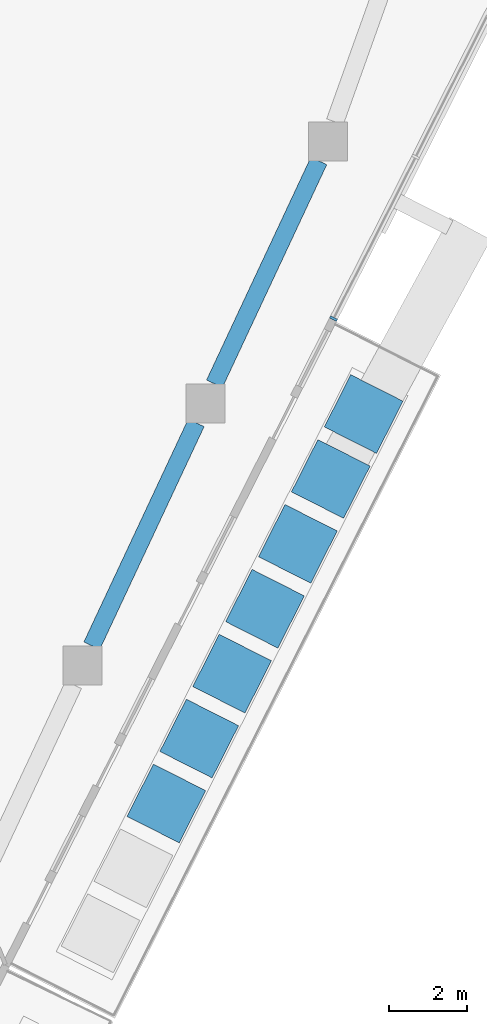
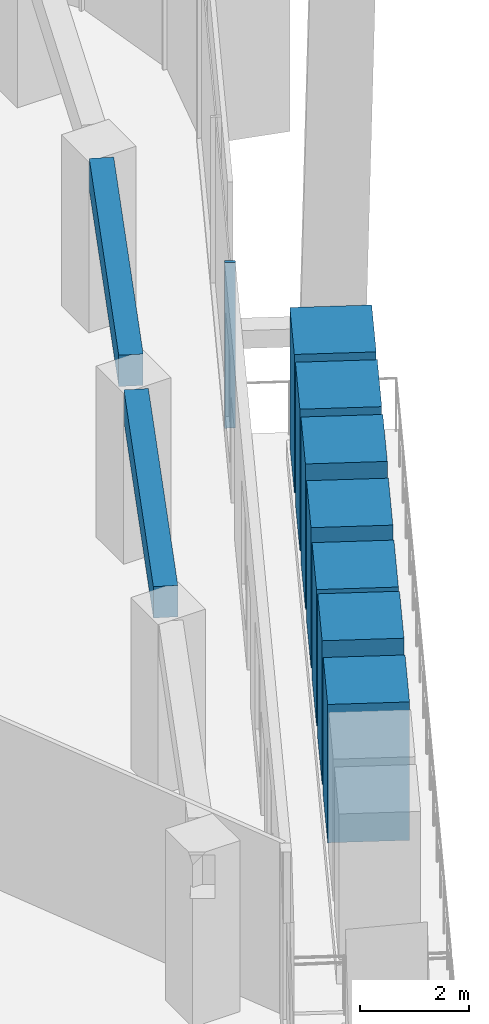
# One storey, part 5 of 23: 8 members, 2 beams, 1 element without a shape of its own.
"""IFC4 building model written with IfcOpenShell, lengths in metres."""

import ifcopenshell
import ifcopenshell.guid

model = None  # the IFC model being written
_history = None  # IfcOwnerHistory: only IFC2X3 demands one
_inside = {}  # id of a spatial element -> (the spatial element, [elements in it])
_under = {}  # id of a project, library or spatial element -> (it, [spatial elements below it])
_declared = {}  # id of a project -> (the project, [libraries it declares])
_typed = {}  # id of a type object -> (the type object, [elements of that type])
_made_of = {}  # id of a material, layer set ... -> (it, [elements and type objects made of it])


def new_model(schema):
    """Start an empty IFC model of exactly this schema.

    Asked for "IFC4X3", IfcOpenShell would pick the latest addendum, in which some entities
    have other attributes; the version numbers below select the first issue.
    IFC2X3 requires an IfcOwnerHistory on every rooted entity: one is made here for all.
    """
    global model, _history
    if schema == "IFC4X3":
        model = ifcopenshell.file(schema_version=(4, 3, 0, 0))
    else:
        model = ifcopenshell.file(schema=schema)
    _inside.clear()
    _under.clear()
    _declared.clear()
    _typed.clear()
    _made_of.clear()
    _history = None
    if model.schema == "IFC2X3":
        org = make("IfcOrganization", Name="unknown")
        user = make(
            "IfcPersonAndOrganization",
            ThePerson=make("IfcPerson", FamilyName="unknown"),
            TheOrganization=org,
        )
        app = make(
            "IfcApplication",
            ApplicationDeveloper=org,
            Version="unknown",
            ApplicationFullName="unknown",
            ApplicationIdentifier="unknown",
        )
        _history = make(
            "IfcOwnerHistory",
            OwningUser=user,
            OwningApplication=app,
            ChangeAction="ADDED",
            CreationDate=0,
        )
    return model


def make(cls, **values):
    """One entity of the class cls with the attributes given. An attribute that is None is left unset."""
    return model.create_entity(
        cls, **{name: value for name, value in values.items() if value is not None}
    )


def rooted(cls, **values):
    """An entity with a GlobalId (a new one), such as an element, a storey or a relation."""
    return make(cls, GlobalId=ifcopenshell.guid.new(), OwnerHistory=_history, **values)


def si_unit(unit_type, name, prefix=None):
    """IfcSIUnit, for example si_unit("LENGTHUNIT", "METRE", prefix="MILLI")."""
    return make("IfcSIUnit", UnitType=unit_type, Prefix=prefix, Name=name)


def assignment(units):
    """IfcUnitAssignment: the units of a project."""
    return None if units is None else make("IfcUnitAssignment", Units=units)


def point(xyz):
    """IfcCartesianPoint."""
    return None if xyz is None else make("IfcCartesianPoint", Coordinates=xyz)


def direction(xyz):
    """IfcDirection."""
    return None if xyz is None else make("IfcDirection", DirectionRatios=xyz)


def frame(location, z_axis=None, x_axis=None):
    """IfcAxis2Placement3D, a coordinate frame: its origin and axes. An axis left out is left unset."""
    return make(
        "IfcAxis2Placement3D",
        Location=point(location),
        Axis=direction(z_axis),
        RefDirection=direction(x_axis),
    )


def frame_2d(location, x_axis=None):
    """IfcAxis2Placement2D, a coordinate frame in the plane: its origin and x axis."""
    return make(
        "IfcAxis2Placement2D", Location=point(location), RefDirection=direction(x_axis)
    )


def origin():
    """The frame at (0, 0, 0) with its axes left unset."""
    return frame((0.0, 0.0, 0.0))


def origin_2d():
    """The frame at (0, 0) in the plane with its x axis left unset."""
    return frame_2d((0.0, 0.0))


def place(relative_to, where):
    """IfcLocalPlacement: puts the frame where relative to a parent placement (None: the world)."""
    return make(
        "IfcLocalPlacement", PlacementRelTo=relative_to, RelativePlacement=where
    )


def context(
    kind, dimensions, precision=None, world=None, true_north=None, identifier=None
):
    """IfcGeometricRepresentationContext, for example the 3D "Model" context."""
    return make(
        "IfcGeometricRepresentationContext",
        ContextIdentifier=identifier,
        ContextType=kind,
        CoordinateSpaceDimension=dimensions,
        Precision=precision,
        WorldCoordinateSystem=world,
        TrueNorth=true_north,
    )


def subcontext(parent, identifier, kind, view, scale=None):
    """IfcGeometricRepresentationSubContext, for example "Body" below "Model"."""
    return make(
        "IfcGeometricRepresentationSubContext",
        ContextIdentifier=identifier,
        ContextType=kind,
        ParentContext=parent,
        TargetScale=scale,
        TargetView=view,
    )


def project(units=None, contexts=None):
    """IfcProject with its units and contexts."""
    return rooted(
        "IfcProject",
        Name="project",
        RepresentationContexts=contexts,
        UnitsInContext=assignment(units),
    )


def spatial(cls, under=None, at=None, **own):
    """A site, building, storey or space (cls), placed at a placement, below another one or the project."""
    s = rooted(cls, ObjectPlacement=at, **own)
    if under is not None:
        _under.setdefault(under.id(), (under, []))[1].append(s)
    return s


def profile(cls, at=None, kind="AREA", **sizes):
    """A parametric profile (cls). Its sizes go by their IFC names, for example OverallWidth=200.0."""
    return make(cls, ProfileType=kind, Position=at, **sizes)


def rectangle(**sizes):
    """IfcRectangleProfileDef."""
    return profile("IfcRectangleProfileDef", **sizes)


def extrude(swept, where, along, depth):
    """IfcExtrudedAreaSolid: the profile swept, set in the frame where, extruded along a direction by depth."""
    return make(
        "IfcExtrudedAreaSolid",
        SweptArea=swept,
        Position=where,
        ExtrudedDirection=direction(along),
        Depth=depth,
    )


def shape(context_of_items, identifier, shape_type, items):
    """IfcShapeRepresentation: the items that make up one representation, for example the "Body"."""
    return make(
        "IfcShapeRepresentation",
        ContextOfItems=context_of_items,
        RepresentationIdentifier=identifier,
        RepresentationType=shape_type,
        Items=items,
    )


def material(Name=None, Category=None):
    """IfcMaterial."""
    return make("IfcMaterial", Name=Name, Category=Category)


def layer(
    of_material, thickness, ventilated=None, Name=None, Category=None, Priority=None
):
    """IfcMaterialLayer: one layer of a wall or slab, of a material (None: an air gap)."""
    return make(
        "IfcMaterialLayer",
        Material=of_material,
        LayerThickness=thickness,
        IsVentilated=ventilated,
        Name=Name,
        Category=Category,
        Priority=Priority,
    )


def layer_set(layers, Name=None):
    """IfcMaterialLayerSet."""
    return make("IfcMaterialLayerSet", MaterialLayers=layers, LayerSetName=Name)


def material_profile(
    of_material, cross_section, Name=None, Category=None, Priority=None
):
    """IfcMaterialProfile: a cross section and its material."""
    return make(
        "IfcMaterialProfile",
        Name=Name,
        Material=of_material,
        Profile=cross_section,
        Priority=Priority,
        Category=Category,
    )


def profile_set(profiles, Name=None, composite=None):
    """IfcMaterialProfileSet."""
    return make(
        "IfcMaterialProfileSet",
        Name=Name,
        MaterialProfiles=profiles,
        CompositeProfile=composite,
    )


def made_of(thing, what):
    """Note that an element or type object is made of a material, layer set ...; save() writes the relation."""
    if what is not None:
        _made_of.setdefault(what.id(), (what, []))[1].append(thing)
    return thing


def type_object(cls, material=None, **own):
    """A type object (cls), such as IfcWallType, which elements share."""
    return made_of(rooted(cls, **own), material)


def element(
    cls,
    number,
    at=None,
    inside=None,
    cuts=None,
    type_object=None,
    material=None,
    context=None,
    identifier="Body",
    shape_type=None,
    held_by="IfcProductDefinitionShape",
    body=None,
    shapes=None,
    **own,
):
    """One element of the class cls, such as IfcWall. Its Tag is "e" and its number.

    at: its placement. inside: the storey or other place that contains it. cuts: it is an
    opening in that element (IfcRelVoidsElement). A single representation is given by context,
    identifier, shape_type and body (its items); several are given by shapes. held_by: the class
    of the entity that holds the representations. save() writes the other relations.
    """
    e = rooted(cls, Tag="e%d" % number, ObjectPlacement=at, **own)
    if body is not None:
        shapes = [shape(context, identifier, shape_type, body)]
    if shapes is not None:
        e.Representation = make(held_by, Representations=shapes)
    if inside is not None:
        _inside.setdefault(inside.id(), (inside, []))[1].append(e)
    if cuts is not None:
        rooted(
            "IfcRelVoidsElement", RelatingBuildingElement=cuts, RelatedOpeningElement=e
        )
    if type_object is not None:
        _typed.setdefault(type_object.id(), (type_object, []))[1].append(e)
    return made_of(e, material)


def aggregate(whole, parts):
    """IfcRelAggregates: a whole, such as a stair, and the parts it consists of."""
    return rooted("IfcRelAggregates", RelatingObject=whole, RelatedObjects=parts)


def save(model, path):
    """Write the relations noted so far, then the file.

    IfcRelAggregates (storeys below a building ...), IfcRelContainedInSpatialStructure (elements
    in a storey), IfcRelDefinesByType, IfcRelAssociatesMaterial and IfcRelDeclares: one each for
    every whole, place, type object, material and project.
    """
    for whole, parts in _under.values():
        aggregate(whole, parts)
    for where, things in _inside.values():
        rooted(
            "IfcRelContainedInSpatialStructure",
            RelatedElements=things,
            RelatingStructure=where,
        )
    for kind, things in _typed.values():
        rooted("IfcRelDefinesByType", RelatedObjects=things, RelatingType=kind)
    for what, things in _made_of.values():
        rooted("IfcRelAssociatesMaterial", RelatedObjects=things, RelatingMaterial=what)
    for by, libraries in _declared.values():
        rooted("IfcRelDeclares", RelatingContext=by, RelatedDefinitions=libraries)
    model.write(path)


model = new_model("IFC4")

# Units and contexts
model_context = context("Model", 3, precision=1e-05, world=origin(), true_north=direction((0.0, 1.0)))
body_context = subcontext(model_context, "Body", "Model", "MODEL_VIEW")
ifc_project = project(units=[si_unit("LENGTHUNIT", "METRE"), si_unit("AREAUNIT", "SQUARE_METRE"), si_unit("VOLUMEUNIT", "CUBIC_METRE"), si_unit("PLANEANGLEUNIT", "RADIAN"), si_unit("MASSUNIT", "GRAM", prefix="KILO")], contexts=[model_context])

# Site, building, storey
site_placement = place(None, origin())
site = spatial("IfcSite", under=ifc_project, at=site_placement, CompositionType="ELEMENT")
building_placement = place(site_placement, origin())
building = spatial("IfcBuilding", under=site, at=building_placement, Name="Dongbaek Canopy Tower", CompositionType="ELEMENT")
storey_placement = place(building_placement, frame((0.0, 0.0, 327.800048828125)))
storey = spatial("IfcBuildingStorey", under=building, at=storey_placement, Name="L70", CompositionType="ELEMENT", Elevation=327.800048828125)

# Curtain wall, member
ifc_material_1 = material(Name="Aluminium 6063-T6 pale anodised", Category="aluminium")
ifc_layer = layer(ifc_material_1, 0.199951171875)
ifc_layer_set = layer_set([ifc_layer], Name="CW-1 unitised tower curtain wall")
curtain_wall_type = type_object("IfcCurtainWallType", Name="CW-1 unitised tower curtain wall", PredefinedType="NOTDEFINED", material=ifc_layer_set)
curtain_wall_placement = place(storey_placement, origin())
curtain_wall = element("IfcCurtainWall", 1, at=curtain_wall_placement, inside=storey, type_object=curtain_wall_type, Name="CW-1 curtain wall F5.1", PredefinedType="NOTDEFINED")
ifc_material_2 = material(Name="Aluminium 6063-T6 pale anodised", Category="aluminium")
ifc_material_profile_1 = material_profile(ifc_material_2, rectangle(XDim=0.199951171875, YDim=0.06005859375, at=origin_2d()), Name="CW-1 mullion 60 x 200")
ifc_profile_set_1 = profile_set([ifc_material_profile_1], Name="Aluminium 6063-T6 pale anodised")
member_type_1 = type_object("IfcMemberType", Name="CW-1 mullion 60 x 200", PredefinedType="MULLION", material=ifc_profile_set_1)
member_1_placement = place(storey_placement, frame((28.495361328125, -4.710693359375, 0.119873046875), z_axis=(0.0, 0.0, 1.0), x_axis=(0.892033145359, -0.451969985266, 0.0)))
member_1 = element("IfcMember", 2, at=member_1_placement, type_object=member_type_1, Name="CW-1 mullion F5.1.1", PredefinedType="MULLION", context=body_context, shape_type="SweptSolid", body=[
    extrude(rectangle(XDim=0.199951171875, YDim=0.06005859375, at=origin_2d()), origin(), (0.0, 0.0, 1.0), 3.7001953125),
])
aggregate(curtain_wall, [member_1])

# Beams
ifc_material_3 = material(Name="Concrete C60", Category="concrete")
ifc_material_profile_2 = material_profile(ifc_material_3, rectangle(XDim=0.449951171875, YDim=0.699951171875, at=origin_2d()), Name="RC EDGE BEAM 450x700 C60")
ifc_profile_set_2 = profile_set([ifc_material_profile_2], Name="Concrete C60")
beam_type = type_object("IfcBeamType", Name="RC EDGE BEAM 450x700 C60", PredefinedType="BEAM", material=ifc_profile_set_2)
beam_1_placement = place(storey_placement, frame((28.116943359375, -0.669921875, 3.469970703125), z_axis=(-0.42401310583, -0.905656052861, 0.0), x_axis=(0.905656052861, -0.42401310583, 0.0)))
element("IfcBeam", 3, at=beam_1_placement, inside=storey, type_object=beam_type, Name="EDGEBEAM:L70:22", PredefinedType="BEAM", context=body_context, shape_type="SweptSolid", body=[
    extrude(rectangle(XDim=0.449951171875, YDim=0.699951171875, at=origin_2d()), origin(), (0.0, 0.0, 1.0), 6.3037109375),
])
beam_2_placement = place(storey_placement, frame((24.975830078125, -7.37890625, 3.469970703125), z_axis=(-0.424108398663, -0.905611432229, 0.0), x_axis=(0.905611432229, -0.424108398663, 0.0)))
element("IfcBeam", 4, at=beam_2_placement, inside=storey, type_object=beam_type, Name="EDGEBEAM:L70:23", PredefinedType="BEAM", context=body_context, shape_type="SweptSolid", body=[
    extrude(rectangle(XDim=0.449951171875, YDim=0.699951171875, at=origin_2d()), origin(), (0.0, 0.0, 1.0), 6.303955078125),
])

# Members
ifc_material_4 = material(Name="Concrete C40/50 planter mass with planting", Category="concrete")
ifc_material_profile_3 = material_profile(ifc_material_4, rectangle(XDim=1.5, YDim=1.5, at=origin_2d()), Name="Terrace PLANTER shrub mass 1500 x 1500")
ifc_profile_set_3 = profile_set([ifc_material_profile_3], Name="Concrete C40/50 planter mass with planting")
member_type_2 = type_object("IfcMemberType", Name="Terrace PLANTER shrub mass 1500 x 1500", PredefinedType="USERDEFINED", material=ifc_profile_set_3)
member_2_placement = place(storey_placement, frame((24.211181640625, -17.126708984375, 0.419921875), z_axis=(0.0, 0.0, 1.0), x_axis=(0.892033145359, -0.451969985266, 0.0)))
element("IfcMember", 5, at=member_2_placement, inside=storey, type_object=member_type_2, Name="Planter shrubs L70 4.3", ObjectType="PLANTER", PredefinedType="USERDEFINED", context=body_context, shape_type="SweptSolid", body=[
    extrude(rectangle(XDim=1.5, YDim=1.5, at=origin_2d()), origin(), (0.0, 0.0, 1.0), 3.090087890625),
])
member_3_placement = place(storey_placement, frame((25.053466796875, -15.46435546875, 0.419921875), z_axis=(0.0, 0.0, 1.0), x_axis=(0.892033145359, -0.451969985266, 0.0)))
element("IfcMember", 6, at=member_3_placement, inside=storey, type_object=member_type_2, Name="Planter shrubs L70 4.4", ObjectType="PLANTER", PredefinedType="USERDEFINED", context=body_context, shape_type="SweptSolid", body=[
    extrude(rectangle(XDim=1.5, YDim=1.5, at=origin_2d()), origin(), (0.0, 0.0, 1.0), 3.2099609375),
])
member_4_placement = place(storey_placement, frame((25.8955078125, -13.80224609375, 0.419921875), z_axis=(0.0, 0.0, 1.0), x_axis=(0.892033145359, -0.451969985266, 0.0)))
element("IfcMember", 7, at=member_4_placement, inside=storey, type_object=member_type_2, Name="Planter shrubs L70 4.5", ObjectType="PLANTER", PredefinedType="USERDEFINED", context=body_context, shape_type="SweptSolid", body=[
    extrude(rectangle(XDim=1.5, YDim=1.5, at=origin_2d()), origin(), (0.0, 0.0, 1.0), 3.050048828125),
])
member_5_placement = place(storey_placement, frame((26.73779296875, -12.14013671875, 0.419921875), z_axis=(0.0, 0.0, 1.0), x_axis=(0.892033145359, -0.451969985266, 0.0)))
element("IfcMember", 8, at=member_5_placement, inside=storey, type_object=member_type_2, Name="Planter shrubs L70 4.6", ObjectType="PLANTER", PredefinedType="USERDEFINED", context=body_context, shape_type="SweptSolid", body=[
    extrude(rectangle(XDim=1.5, YDim=1.5, at=origin_2d()), origin(), (0.0, 0.0, 1.0), 3.130126953125),
])
member_6_placement = place(storey_placement, frame((27.579833984375, -10.47802734375, 0.419921875), z_axis=(0.0, 0.0, 1.0), x_axis=(0.892033145359, -0.451969985266, 0.0)))
element("IfcMember", 9, at=member_6_placement, inside=storey, type_object=member_type_2, Name="Planter shrubs L70 4.7", ObjectType="PLANTER", PredefinedType="USERDEFINED", context=body_context, shape_type="SweptSolid", body=[
    extrude(rectangle(XDim=1.5, YDim=1.5, at=origin_2d()), origin(), (0.0, 0.0, 1.0), 3.25),
])
member_7_placement = place(storey_placement, frame((28.422119140625, -8.81591796875, 0.419921875), z_axis=(0.0, 0.0, 1.0), x_axis=(0.892033145359, -0.451969985266, 0.0)))
element("IfcMember", 10, at=member_7_placement, inside=storey, type_object=member_type_2, Name="Planter shrubs L70 4.8", ObjectType="PLANTER", PredefinedType="USERDEFINED", context=body_context, shape_type="SweptSolid", body=[
    extrude(rectangle(XDim=1.5, YDim=1.5, at=origin_2d()), origin(), (0.0, 0.0, 1.0), 3.169921875),
])
member_8_placement = place(storey_placement, frame((29.26416015625, -7.15380859375, 0.419921875), z_axis=(0.0, 0.0, 1.0), x_axis=(0.892033145359, -0.451969985266, 0.0)))
element("IfcMember", 11, at=member_8_placement, inside=storey, type_object=member_type_2, Name="Planter shrubs L70 4.9", ObjectType="PLANTER", PredefinedType="USERDEFINED", context=body_context, shape_type="SweptSolid", body=[
    extrude(rectangle(XDim=1.5, YDim=1.5, at=origin_2d()), origin(), (0.0, 0.0, 1.0), 3.090087890625),
])

save(model, "model.ifc")
